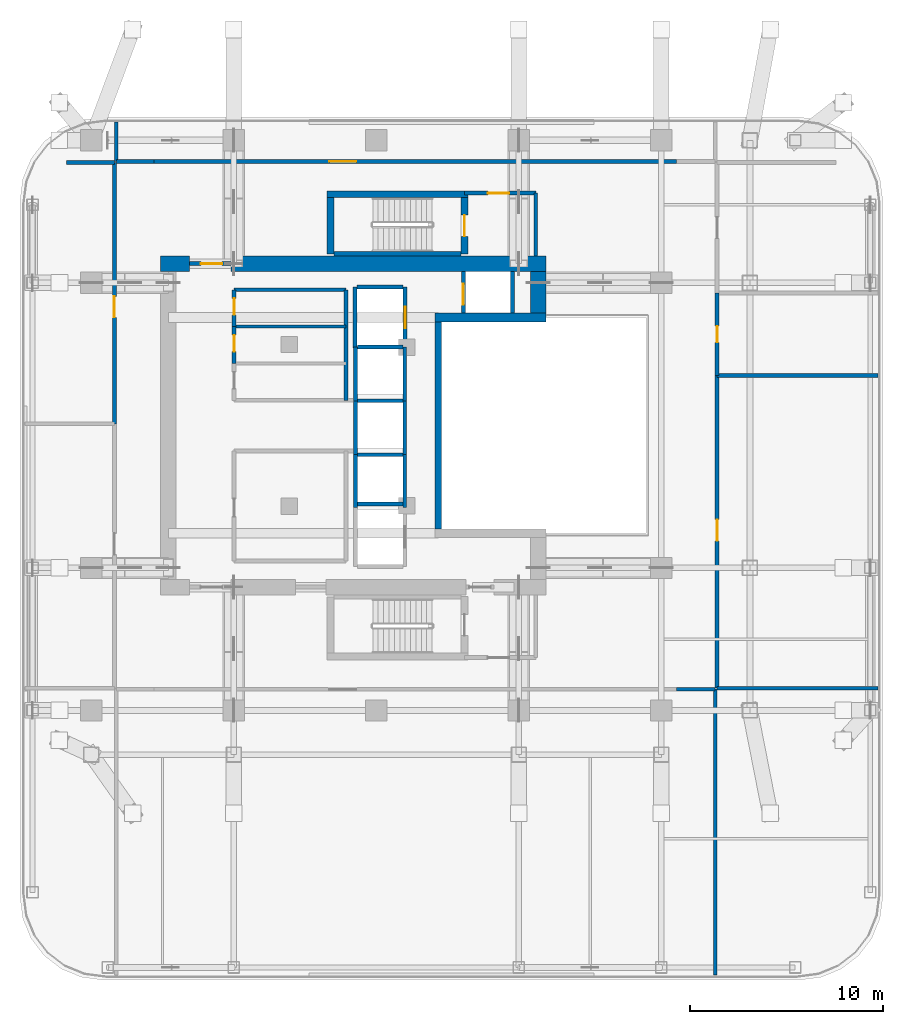
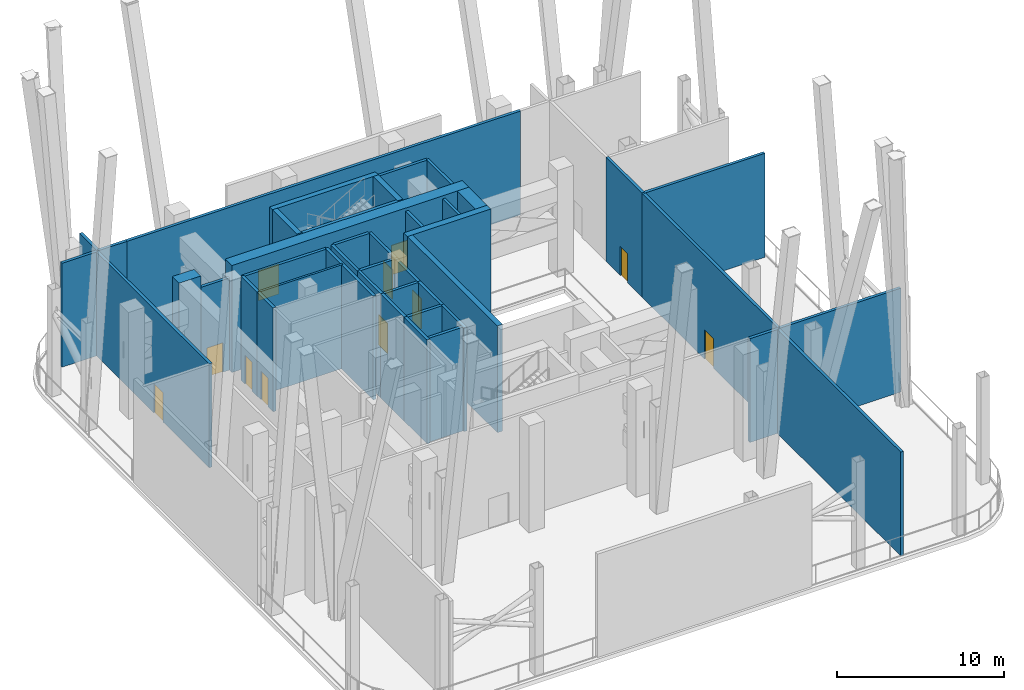
# One storey, part 5 of 9: 43 walls, 11 doors, 11 openings.
"""IFC4 building model written with IfcOpenShell, lengths in metres."""

from ifc_helpers import new_model, si_unit, direction, frame, frame_2d, origin, place, context, subcontext, project, spatial, rectangle, extrude, material, layer, layer_set, type_object, element, fill, save


model = new_model("IFC4")

# Units and contexts
model_context = context("Model", 3, precision=1e-05, world=origin(), true_north=direction((0.0, 1.0)))
body_context = subcontext(model_context, "Body", "Model", "MODEL_VIEW")
ifc_project = project(units=[si_unit("LENGTHUNIT", "METRE"), si_unit("AREAUNIT", "SQUARE_METRE"), si_unit("VOLUMEUNIT", "CUBIC_METRE"), si_unit("PLANEANGLEUNIT", "RADIAN"), si_unit("MASSUNIT", "GRAM", prefix="KILO")], contexts=[model_context])

# Site, building, storey
site_placement = place(None, origin())
site = spatial("IfcSite", under=ifc_project, at=site_placement, CompositionType="ELEMENT")
building_placement = place(site_placement, origin())
building = spatial("IfcBuilding", under=site, at=building_placement, Name="Khorvyn Point Tower", CompositionType="ELEMENT")
storey_placement = place(building_placement, frame((0.0, 0.0, 235.199951171875)))
storey = spatial("IfcBuildingStorey", under=building, at=storey_placement, Name="L58", CompositionType="ELEMENT", Elevation=235.199951171875)

# Wall
ifc_material_1 = material(Name="Concrete C40/50", Category="concrete")
ifc_layer_1 = layer(ifc_material_1, 0.449951171875)
ifc_layer_set_1 = layer_set([ifc_layer_1], Name="Concrete C40/50 Core Shear Wall 450")
wall_type_1 = type_object("IfcWallType", Name="Concrete C40/50 Core Shear Wall 450", PredefinedType="SHEAR", material=ifc_layer_set_1)
wall_1_placement = place(storey_placement, frame((3.044921875, 5.60009765625, 0.0), z_axis=(0.0, 0.0, 1.0), x_axis=(1.0, 0.0, 0.0)))
element("IfcWall", 1, at=wall_1_placement, inside=storey, type_object=wall_type_1, Name="Wall", PredefinedType="SHEAR", context=body_context, shape_type="SweptSolid", body=[
    extrude(rectangle(XDim=5.755126953125, YDim=0.449951171875, at=frame_2d((2.87744140625, 0.0))), origin(), (0.0, 0.0, 1.0), 7.800048828125),
])

# Wall, opening, door
ifc_layer_2 = layer(ifc_material_1, 0.199951171875)
ifc_layer_set_2 = layer_set([ifc_layer_2], Name="Concrete C40/50 Fire-Lobby Compartment Wall 200")
wall_type_2 = type_object("IfcWallType", Name="Concrete C40/50 Fire-Lobby Compartment Wall 200", PredefinedType="SOLIDWALL", material=ifc_layer_set_2)
wall_2_placement = place(storey_placement, frame((4.580078125, 12.06005859375, 0.0), z_axis=(0.0, 0.0, 1.0), x_axis=(1.0, 0.0, 0.0)))
wall_2 = element("IfcWall", 2, at=wall_2_placement, inside=storey, type_object=wall_type_2, Name="Wall", PredefinedType="SOLIDWALL", context=body_context, shape_type="SweptSolid", body=[
    extrude(rectangle(XDim=3.699951171875, YDim=0.199951171875, at=frame_2d((1.85009765625, 0.0))), origin(), (0.0, 0.0, 1.0), 7.580078125),
])
opening_1_placement = place(wall_2_placement, frame((1.21240234375, 0.0, 0.0)))
opening_1 = element("IfcOpeningElement", 3, at=opening_1_placement, cuts=wall_2, Name="Opening ID-FL90", PredefinedType="OPENING", context=body_context, shape_type="SweptSolid", body=[
    extrude(rectangle(XDim=1.10009765625, YDim=2.14990234375, at=frame_2d((0.550048828125, 1.074951171875))), frame((0.0, 0.10986328125, 0.0), z_axis=(0.0, -1.0, 0.0), x_axis=(1.0, 0.0, 0.0)), (0.0, 0.0, 1.0), 0.219970703125),
])
ifc_material_2 = material(Name="Galvanised powder-coated steel", Category="steel")
door_type_1 = type_object("IfcDoorType", Name="Fire-Rated Steel Lobby and Stair Door 1100x2150", OperationType="NOTDEFINED", PredefinedType="DOOR", material=ifc_material_2)
door_1_placement = place(opening_1_placement, origin())
door_1 = element("IfcDoor", 4, at=door_1_placement, inside=storey, type_object=door_type_1, Name="Door", OperationType="SINGLE_SWING_RIGHT", OverallHeight=2.14990234375, OverallWidth=1.10009765625, PredefinedType="DOOR", context=body_context, shape_type="SweptSolid", body=[
    extrude(rectangle(XDim=1.10009765625, YDim=2.14990234375, at=frame_2d((0.550048828125, 1.074951171875))), frame((0.0, 0.02490234375, 0.0), z_axis=(0.0, -1.0, 0.0), x_axis=(1.0, 0.0, 0.0)), (0.0, 0.0, 1.0), 0.050048828125),
])
fill(opening_1, door_1)

wall_3_placement = place(storey_placement, frame((-9.699951171875, 8.39990234375, 0.0), z_axis=(0.0, 0.0, 1.0), x_axis=(1.0, 0.0, 0.0)))
wall_3 = element("IfcWall", 5, at=wall_3_placement, inside=storey, type_object=wall_type_2, Name="Wall", PredefinedType="SOLIDWALL", context=body_context, shape_type="SweptSolid", body=[
    extrude(rectangle(XDim=2.14990234375, YDim=0.199951171875, at=frame_2d((1.074951171875, 0.0))), origin(), (0.0, 0.0, 1.0), 6.719970703125),
])
opening_2_placement = place(wall_3_placement, frame((0.597900390625, 0.0, 0.0)))
opening_2 = element("IfcOpeningElement", 6, at=opening_2_placement, cuts=wall_3, Name="Opening ID-FL90", PredefinedType="OPENING", context=body_context, shape_type="SweptSolid", body=[
    extrude(rectangle(XDim=1.10009765625, YDim=2.14990234375, at=frame_2d((0.550048828125, 1.074951171875))), frame((0.0, 0.10986328125, 0.0), z_axis=(0.0, -1.0, 0.0), x_axis=(1.0, 0.0, 0.0)), (0.0, 0.0, 1.0), 0.219970703125),
])
door_2_placement = place(opening_2_placement, origin())
door_2 = element("IfcDoor", 7, at=door_2_placement, inside=storey, type_object=door_type_1, Name="Door", OperationType="SINGLE_SWING_RIGHT", OverallHeight=2.14990234375, OverallWidth=1.10009765625, PredefinedType="DOOR", context=body_context, shape_type="SweptSolid", body=[
    extrude(rectangle(XDim=1.10009765625, YDim=2.14990234375, at=frame_2d((0.550048828125, 1.074951171875))), frame((0.0, 0.02490234375, 0.0), z_axis=(0.0, -1.0, 0.0), x_axis=(1.0, 0.0, 0.0)), (0.0, 0.0, 1.0), 0.050048828125),
])
fill(opening_2, door_2)

wall_4_placement = place(storey_placement, frame((-7.3798828125, 3.219970703125, 0.0), z_axis=(0.0, 0.0, 1.0), x_axis=(0.0, 1.0, 0.0)))
wall_4 = element("IfcWall", 8, at=wall_4_placement, inside=storey, type_object=wall_type_2, Name="Wall", PredefinedType="SOLIDWALL", context=body_context, shape_type="SweptSolid", body=[
    extrude(rectangle(XDim=1.919921875, YDim=0.199951171875, at=frame_2d((0.9599609375, 0.0))), origin(), (0.0, 0.0, 1.0), 7.580078125),
])
opening_3_placement = place(wall_4_placement, frame((0.610107421875, 0.0, 0.0)))
opening_3 = element("IfcOpeningElement", 9, at=opening_3_placement, cuts=wall_4, Name="Opening ID-WC85", PredefinedType="OPENING", context=body_context, shape_type="SweptSolid", body=[
    extrude(rectangle(XDim=0.85009765625, YDim=2.10009765625, at=frame_2d((0.425048828125, 1.050048828125))), frame((0.0, 0.10986328125, 0.0), z_axis=(0.0, -1.0, 0.0), x_axis=(1.0, 0.0, 0.0)), (0.0, 0.0, 1.0), 0.219970703125),
])
ifc_material_3 = material(Name="High-pressure laminate on moisture-resistant core", Category="wood")
door_type_2 = type_object("IfcDoorType", Name="Moisture-Resistant Accessible Washroom Door 850x2100", OperationType="NOTDEFINED", PredefinedType="DOOR", material=ifc_material_3)
door_3_placement = place(opening_3_placement, origin())
door_3 = element("IfcDoor", 10, at=door_3_placement, inside=storey, type_object=door_type_2, Name="Door", OperationType="SINGLE_SWING_LEFT", OverallHeight=2.10009765625, OverallWidth=0.85009765625, PredefinedType="DOOR", context=body_context, shape_type="SweptSolid", body=[
    extrude(rectangle(XDim=0.85009765625, YDim=2.10009765625, at=frame_2d((0.425048828125, 1.050048828125))), frame((0.0, 0.02490234375, 0.0), z_axis=(0.0, -1.0, 0.0), x_axis=(1.0, 0.0, 0.0)), (0.0, 0.0, 1.0), 0.050048828125),
])
fill(opening_3, door_3)

wall_5_placement = place(storey_placement, frame((-7.3798828125, 5.139892578125, 0.0), z_axis=(0.0, 0.0, 1.0), x_axis=(0.0, 1.0, 0.0)))
wall_5 = element("IfcWall", 11, at=wall_5_placement, inside=storey, type_object=wall_type_2, Name="Wall", PredefinedType="SOLIDWALL", context=body_context, shape_type="SweptSolid", body=[
    extrude(rectangle(XDim=1.900146484375, YDim=0.199951171875, at=frame_2d((0.9501953125, 0.0))), origin(), (0.0, 0.0, 1.0), 7.580078125),
])
opening_4_placement = place(wall_5_placement, frame((0.597900390625, 0.0, 0.0)))
opening_4 = element("IfcOpeningElement", 12, at=opening_4_placement, cuts=wall_5, Name="Opening ID-WC85", PredefinedType="OPENING", context=body_context, shape_type="SweptSolid", body=[
    extrude(rectangle(XDim=0.85009765625, YDim=2.10009765625, at=frame_2d((0.425048828125, 1.050048828125))), frame((0.0, 0.10986328125, 0.0), z_axis=(0.0, -1.0, 0.0), x_axis=(1.0, 0.0, 0.0)), (0.0, 0.0, 1.0), 0.219970703125),
])
door_4_placement = place(opening_4_placement, origin())
door_4 = element("IfcDoor", 13, at=door_4_placement, inside=storey, type_object=door_type_2, Name="Door", OperationType="SINGLE_SWING_RIGHT", OverallHeight=2.10009765625, OverallWidth=0.85009765625, PredefinedType="DOOR", context=body_context, shape_type="SweptSolid", body=[
    extrude(rectangle(XDim=0.85009765625, YDim=2.10009765625, at=frame_2d((0.425048828125, 1.050048828125))), frame((0.0, 0.02490234375, 0.0), z_axis=(0.0, -1.0, 0.0), x_axis=(1.0, 0.0, 0.0)), (0.0, 0.0, 1.0), 0.050048828125),
])
fill(opening_4, door_4)

wall_6_placement = place(storey_placement, frame((-11.550048828125, 13.699951171875, 0.0), z_axis=(0.0, 0.0, 1.0), x_axis=(1.0, 0.0, 0.0)))
wall_6 = element("IfcWall", 14, at=wall_6_placement, inside=storey, type_object=wall_type_2, Name="Wall", PredefinedType="SOLIDWALL", context=body_context, shape_type="SweptSolid", body=[
    extrude(rectangle(XDim=27.150146484375, YDim=0.199951171875, at=frame_2d((13.5751953125, 0.0))), origin(), (0.0, 0.0, 1.0), 7.580078125),
])
opening_5_placement = place(wall_6_placement, frame((9.1142578125, 0.0, 0.0)))
opening_5 = element("IfcOpeningElement", 15, at=opening_5_placement, cuts=wall_6, Name="Opening ID-PL90", PredefinedType="OPENING", context=body_context, shape_type="SweptSolid", body=[
    extrude(rectangle(XDim=1.39990234375, YDim=2.199951171875, at=frame_2d((0.699951171875, 1.10009765625))), frame((0.0, 0.10986328125, 0.0), z_axis=(0.0, -1.0, 0.0), x_axis=(1.0, 0.0, 0.0)), (0.0, 0.0, 1.0), 0.219970703125),
])
door_type_3 = type_object("IfcDoorType", Name="Double-Leaf Acoustic Steel Plant Room Door 1400x2200", OperationType="DOUBLE_DOOR_SINGLE_SWING", PredefinedType="DOOR", material=ifc_material_2)
door_5_placement = place(opening_5_placement, origin())
door_5 = element("IfcDoor", 16, at=door_5_placement, inside=storey, type_object=door_type_3, Name="Door", OperationType="SINGLE_SWING_LEFT", OverallHeight=2.199951171875, OverallWidth=1.39990234375, PredefinedType="DOOR", context=body_context, shape_type="SweptSolid", body=[
    extrude(rectangle(XDim=1.39990234375, YDim=2.199951171875, at=frame_2d((0.699951171875, 1.10009765625))), frame((0.0, 0.02490234375, 0.0), z_axis=(0.0, -1.0, 0.0), x_axis=(1.0, 0.0, 0.0)), (0.0, 0.0, 1.0), 0.050048828125),
])
fill(opening_5, door_5)

wall_7_placement = place(storey_placement, frame((-13.60009765625, 0.080078125, 0.0), z_axis=(0.0, 0.0, 1.0), x_axis=(0.0, 1.0, 0.0)))
wall_7 = element("IfcWall", 17, at=wall_7_placement, inside=storey, type_object=wall_type_2, Name="Wall", PredefinedType="SOLIDWALL", context=body_context, shape_type="SweptSolid", body=[
    extrude(rectangle(XDim=13.56982421875, YDim=0.199951171875, at=frame_2d((6.784912109375, 0.0))), origin(), (0.0, 0.0, 1.0), 7.580078125),
])
opening_6_placement = place(wall_7_placement, frame((5.520263671875, 0.0, 0.0)))
opening_6 = element("IfcOpeningElement", 18, at=opening_6_placement, cuts=wall_7, Name="Opening ID-FL90", PredefinedType="OPENING", context=body_context, shape_type="SweptSolid", body=[
    extrude(rectangle(XDim=1.10009765625, YDim=2.14990234375, at=frame_2d((0.550048828125, 1.074951171875))), frame((0.0, 0.10986328125, 0.0), z_axis=(0.0, -1.0, 0.0), x_axis=(1.0, 0.0, 0.0)), (0.0, 0.0, 1.0), 0.219970703125),
])
door_6_placement = place(opening_6_placement, origin())
door_6 = element("IfcDoor", 19, at=door_6_placement, inside=storey, type_object=door_type_1, Name="Door", OperationType="SINGLE_SWING_RIGHT", OverallHeight=2.14990234375, OverallWidth=1.10009765625, PredefinedType="DOOR", context=body_context, shape_type="SweptSolid", body=[
    extrude(rectangle(XDim=1.10009765625, YDim=2.14990234375, at=frame_2d((0.550048828125, 1.074951171875))), frame((0.0, 0.02490234375, 0.0), z_axis=(0.0, -1.0, 0.0), x_axis=(1.0, 0.0, 0.0)), (0.0, 0.0, 1.0), 0.050048828125),
])
fill(opening_6, door_6)

wall_8_placement = place(storey_placement, frame((17.699951171875, -13.64990234375, 0.0), z_axis=(0.0, 0.0, 1.0), x_axis=(0.0, 1.0, 0.0)))
wall_8 = element("IfcWall", 20, at=wall_8_placement, inside=storey, type_object=wall_type_2, Name="Wall", PredefinedType="SOLIDWALL", context=body_context, shape_type="SweptSolid", body=[
    extrude(rectangle(XDim=16.22998046875, YDim=0.199951171875, at=frame_2d((8.114990234375, 0.0))), origin(), (0.0, 0.0, 1.0), 7.580078125),
])
opening_7_placement = place(wall_8_placement, frame((7.654296875, 0.0, 0.0)))
opening_7 = element("IfcOpeningElement", 21, at=opening_7_placement, cuts=wall_8, Name="Opening ID-FL90", PredefinedType="OPENING", context=body_context, shape_type="SweptSolid", body=[
    extrude(rectangle(XDim=1.10009765625, YDim=2.14990234375, at=frame_2d((0.550048828125, 1.074951171875))), frame((0.0, 0.10986328125, 0.0), z_axis=(0.0, -1.0, 0.0), x_axis=(1.0, 0.0, 0.0)), (0.0, 0.0, 1.0), 0.219970703125),
])
door_7_placement = place(opening_7_placement, origin())
door_7 = element("IfcDoor", 22, at=door_7_placement, inside=storey, type_object=door_type_1, Name="Door", OperationType="SINGLE_SWING_LEFT", OverallHeight=2.14990234375, OverallWidth=1.10009765625, PredefinedType="DOOR", context=body_context, shape_type="SweptSolid", body=[
    extrude(rectangle(XDim=1.10009765625, YDim=2.14990234375, at=frame_2d((0.550048828125, 1.074951171875))), frame((0.0, 0.02490234375, 0.0), z_axis=(0.0, -1.0, 0.0), x_axis=(1.0, 0.0, 0.0)), (0.0, 0.0, 1.0), 0.050048828125),
])
fill(opening_7, door_7)

wall_9_placement = place(storey_placement, frame((17.699951171875, 2.580078125, 0.0), z_axis=(0.0, 0.0, 1.0), x_axis=(0.0, 1.0, 0.0)))
wall_9 = element("IfcWall", 23, at=wall_9_placement, inside=storey, type_object=wall_type_2, Name="Wall", PredefinedType="SOLIDWALL", context=body_context, shape_type="SweptSolid", body=[
    extrude(rectangle(XDim=4.2998046875, YDim=0.199951171875, at=frame_2d((2.14990234375, 0.0))), origin(), (0.0, 0.0, 1.0), 7.580078125),
])
opening_8_placement = place(wall_9_placement, frame((1.72509765625, 0.0, 0.0)))
opening_8 = element("IfcOpeningElement", 24, at=opening_8_placement, cuts=wall_9, Name="Opening ID-WC85", PredefinedType="OPENING", context=body_context, shape_type="SweptSolid", body=[
    extrude(rectangle(XDim=0.85009765625, YDim=2.10009765625, at=frame_2d((0.425048828125, 1.050048828125))), frame((0.0, 0.10986328125, 0.0), z_axis=(0.0, -1.0, 0.0), x_axis=(1.0, 0.0, 0.0)), (0.0, 0.0, 1.0), 0.219970703125),
])
door_8_placement = place(opening_8_placement, origin())
door_8 = element("IfcDoor", 25, at=door_8_placement, inside=storey, type_object=door_type_2, Name="Door", OperationType="SINGLE_SWING_RIGHT", OverallHeight=2.10009765625, OverallWidth=0.85009765625, PredefinedType="DOOR", context=body_context, shape_type="SweptSolid", body=[
    extrude(rectangle(XDim=0.85009765625, YDim=2.10009765625, at=frame_2d((0.425048828125, 1.050048828125))), frame((0.0, 0.02490234375, 0.0), z_axis=(0.0, -1.0, 0.0), x_axis=(1.0, 0.0, 0.0)), (0.0, 0.0, 1.0), 0.050048828125),
])
fill(opening_8, door_8)

# Walls
wall_10_placement = place(storey_placement, frame((8.280029296875, 8.800048828125, 0.0), z_axis=(0.0, 0.0, 1.0), x_axis=(0.0, 1.0, 0.0)))
element("IfcWall", 26, at=wall_10_placement, inside=storey, type_object=wall_type_2, Name="Wall", PredefinedType="SOLIDWALL", context=body_context, shape_type="SweptSolid", body=[
    extrude(rectangle(XDim=3.260009765625, YDim=0.199951171875, at=frame_2d((1.6298828125, 0.0))), origin(), (0.0, 0.0, 1.0), 7.580078125),
])
wall_11_placement = place(storey_placement, frame((-1.580078125, 1.300048828125, 0.0), z_axis=(0.0, 0.0, 1.0), x_axis=(0.0, 1.0, 0.0)))
element("IfcWall", 27, at=wall_11_placement, inside=storey, type_object=wall_type_2, Name="Wall", PredefinedType="SOLIDWALL", context=body_context, shape_type="SweptSolid", body=[
    extrude(rectangle(XDim=5.739990234375, YDim=0.199951171875, at=frame_2d((2.8701171875, 0.0))), origin(), (0.0, 0.0, 1.0), 7.580078125),
])
wall_12_placement = place(storey_placement, frame((-7.3798828125, 7.0400390625, 0.0), z_axis=(0.0, 0.0, 1.0), x_axis=(1.0, 0.0, 0.0)))
element("IfcWall", 28, at=wall_12_placement, inside=storey, type_object=wall_type_2, Name="Wall", PredefinedType="SOLIDWALL", context=body_context, shape_type="SweptSolid", body=[
    extrude(rectangle(XDim=5.7998046875, YDim=0.199951171875, at=frame_2d((2.89990234375, 0.0))), origin(), (0.0, 0.0, 1.0), 7.580078125),
])
wall_13_placement = place(storey_placement, frame((-13.5, 13.699951171875, 0.0), z_axis=(0.0, 0.0, 1.0), x_axis=(1.0, 0.0, 0.0)))
element("IfcWall", 29, at=wall_13_placement, inside=storey, type_object=wall_type_2, Name="Wall", PredefinedType="SOLIDWALL", context=body_context, shape_type="SweptSolid", body=[
    extrude(rectangle(XDim=1.949951171875, YDim=0.199951171875, at=frame_2d((0.97509765625, 0.0))), origin(), (0.0, 0.0, 1.0), 7.580078125),
])
wall_14_placement = place(storey_placement, frame((15.60009765625, -13.699951171875, 0.0), z_axis=(0.0, 0.0, 1.0), x_axis=(1.0, 0.0, 0.0)))
element("IfcWall", 30, at=wall_14_placement, inside=storey, type_object=wall_type_2, Name="Wall", PredefinedType="SOLIDWALL", context=body_context, shape_type="SweptSolid", body=[
    extrude(rectangle(XDim=2.0, YDim=0.199951171875, at=frame_2d((1.0, 0.0))), origin(), (0.0, 0.0, 1.0), 7.580078125),
])
wall_15_placement = place(storey_placement, frame((17.60009765625, -28.550048828125, 0.0), z_axis=(0.0, 0.0, 1.0), x_axis=(0.0, 1.0, 0.0)))
element("IfcWall", 31, at=wall_15_placement, inside=storey, type_object=wall_type_2, Name="Wall", PredefinedType="SOLIDWALL", context=body_context, shape_type="SweptSolid", body=[
    extrude(rectangle(XDim=14.85009765625, YDim=0.199951171875, at=frame_2d((7.425048828125, 0.0))), origin(), (0.0, 0.0, 1.0), 7.580078125),
])
wall_16_placement = place(storey_placement, frame((-13.5, 13.699951171875, 0.0), z_axis=(0.0, 0.0, 1.0), x_axis=(0.0, 1.0, 0.0)))
element("IfcWall", 32, at=wall_16_placement, inside=storey, type_object=wall_type_2, Name="Wall", PredefinedType="SOLIDWALL", context=body_context, shape_type="SweptSolid", body=[
    extrude(rectangle(XDim=2.050048828125, YDim=0.199951171875, at=frame_2d((1.02490234375, 0.0))), origin(), (0.0, 0.0, 1.0), 7.580078125),
])
wall_17_placement = place(storey_placement, frame((-16.080078125, 13.64990234375, 0.0), z_axis=(0.0, 0.0, 1.0), x_axis=(1.0, 0.0, 0.0)))
element("IfcWall", 33, at=wall_17_placement, inside=storey, type_object=wall_type_2, Name="Wall", PredefinedType="SOLIDWALL", context=body_context, shape_type="SweptSolid", body=[
    extrude(rectangle(XDim=2.47998046875, YDim=0.199951171875, at=frame_2d((1.239990234375, 0.0))), origin(), (0.0, 0.0, 1.0), 7.580078125),
])
for number, where, z_axis, x_axis, name in (
    (34, (17.699951171875, -13.64990234375, 0.0), (0.0, 0.0, 1.0), (1.0, 0.0, 0.0), "Wall"),
    (35, (17.699951171875, 2.580078125, 0.0), (0.0, 0.0, 1.0), (1.0, 0.0, 0.0), "Wall"),
):
    element("IfcWall", number, at=place(storey_placement, frame(where, z_axis=z_axis, x_axis=x_axis)), inside=storey, type_object=wall_type_2, Name=name, PredefinedType="SOLIDWALL", context=body_context, shape_type="SweptSolid", body=[
        extrude(rectangle(XDim=8.35009765625, YDim=0.199951171875, at=frame_2d((4.175048828125, 0.0))), origin(), (0.0, 0.0, 1.0), 7.580078125),
    ])
ifc_layer_3 = layer(ifc_material_1, 0.25)
ifc_layer_set_3 = layer_set([ifc_layer_3], Name="Concrete C40/50 Stair Inner Cheek Structural Wall 250")
wall_type_3 = type_object("IfcWallType", Name="Concrete C40/50 Stair Inner Cheek Structural Wall 250", PredefinedType="SHEAR", material=ifc_layer_set_3)
wall_18_placement = place(storey_placement, frame((-2.199951171875, 8.91259765625, 0.0), z_axis=(0.0, 0.0, 1.0), x_axis=(1.0, 0.0, 0.0)))
element("IfcWall", 36, at=wall_18_placement, inside=storey, type_object=wall_type_3, Name="Wall", PredefinedType="SHEAR", context=body_context, shape_type="SweptSolid", body=[
    extrude(rectangle(XDim=6.599853515625, YDim=0.22509765625, at=frame_2d((3.2998046875, 0.0))), origin(), (0.0, 0.0, 1.0), 7.800048828125),
])
ifc_layer_4 = layer(ifc_material_1, 0.35009765625)
ifc_layer_set_4 = layer_set([ifc_layer_4], Name="Concrete C40/50 Stair Shaft Structural Wall 350")
wall_type_4 = type_object("IfcWallType", Name="Concrete C40/50 Stair Shaft Structural Wall 350", PredefinedType="SHEAR", material=ifc_layer_set_4)
wall_19_placement = place(storey_placement, frame((3.219970703125, -5.375, 0.0), z_axis=(0.0, 0.0, 1.0), x_axis=(0.0, 1.0, 0.0)))
element("IfcWall", 37, at=wall_19_placement, inside=storey, type_object=wall_type_4, Name="Wall", PredefinedType="SHEAR", context=body_context, shape_type="SweptSolid", body=[
    extrude(rectangle(XDim=10.75, YDim=0.35009765625, at=frame_2d((5.375, 0.0))), origin(), (0.0, 0.0, 1.0), 7.800048828125),
])
wall_20_placement = place(storey_placement, frame((-2.554931640625, 12.0, 0.0), z_axis=(0.0, 0.0, 1.0), x_axis=(1.0, 0.0, 0.0)))
element("IfcWall", 38, at=wall_20_placement, inside=storey, type_object=wall_type_4, Name="L58 ST-02 North Shaft Wall", PredefinedType="SHEAR", context=body_context, shape_type="SweptSolid", body=[
    extrude(rectangle(XDim=7.309814453125, YDim=0.35009765625, at=frame_2d((3.65478515625, 0.0))), origin(), (0.0, 0.0, 1.0), 7.800048828125),
])
wall_21_placement = place(storey_placement, frame((-2.3798828125, 8.89990234375, 0.0), z_axis=(0.0, 0.0, 1.0), x_axis=(0.0, 1.0, 0.0)))
element("IfcWall", 39, at=wall_21_placement, inside=storey, type_object=wall_type_4, Name="L58 ST-02 West Shaft Wall", PredefinedType="SHEAR", context=body_context, shape_type="SweptSolid", body=[
    extrude(rectangle(XDim=2.925048828125, YDim=0.35009765625, at=frame_2d((1.46240234375, 0.0))), origin(), (0.0, 0.0, 1.0), 7.800048828125),
])

# Wall, opening, door
wall_22_placement = place(storey_placement, frame((4.580078125, 11.824951171875, 0.0), z_axis=(0.0, 0.0, 1.0), x_axis=(0.0, -1.0, 0.0)))
wall_22 = element("IfcWall", 40, at=wall_22_placement, inside=storey, type_object=wall_type_4, Name="L58 ST-02 East Landing Door Wall", PredefinedType="SHEAR", context=body_context, shape_type="SweptSolid", body=[
    extrude(rectangle(XDim=2.925048828125, YDim=0.35009765625, at=frame_2d((1.46240234375, 0.0))), origin(), (0.0, 0.0, 1.0), 7.800048828125),
])
opening_9_placement = place(wall_22_placement, frame((0.91259765625, 0.0, 0.0)))
opening_9 = element("IfcOpeningElement", 41, at=opening_9_placement, cuts=wall_22, Name="Opening ID-FL90", PredefinedType="OPENING", context=body_context, shape_type="SweptSolid", body=[
    extrude(rectangle(XDim=1.10009765625, YDim=2.14990234375, at=frame_2d((0.550048828125, 1.074951171875))), frame((0.0, 0.18505859375, 0.0), z_axis=(0.0, -1.0, 0.0), x_axis=(1.0, 0.0, 0.0)), (0.0, 0.0, 1.0), 0.3701171875),
])
door_9_placement = place(opening_9_placement, origin())
door_9 = element("IfcDoor", 42, at=door_9_placement, inside=storey, type_object=door_type_1, Name="L58 ST-02 Smokeproof Landing Door", OperationType="SINGLE_SWING_LEFT", OverallHeight=2.14990234375, OverallWidth=1.10009765625, PredefinedType="DOOR", context=body_context, shape_type="SweptSolid", body=[
    extrude(rectangle(XDim=1.10009765625, YDim=2.14990234375, at=frame_2d((0.550048828125, 1.074951171875))), frame((0.0, 0.02490234375, 0.0), z_axis=(0.0, -1.0, 0.0), x_axis=(1.0, 0.0, 0.0)), (0.0, 0.0, 1.0), 0.050048828125),
])
fill(opening_9, door_9)

# Walls
ifc_layer_5 = layer(ifc_material_1, 0.199951171875)
ifc_layer_set_5 = layer_set([ifc_layer_5], Name="Concrete C40/50 Structural Hoistway and Stair Shaft Wall 200")
wall_type_5 = type_object("IfcWallType", Name="Concrete C40/50 Structural Hoistway and Stair Shaft Wall 200", PredefinedType="SHEAR", material=ifc_layer_set_5)
for number, where, z_axis, x_axis, name in (
    (43, (-1.074951171875, -4.27490234375, 0.0), (0.0, 0.0, 1.0), (0.0, 1.0, 0.0), "Wall"),
    (44, (1.47509765625, -4.27490234375, 0.0), (0.0, 0.0, 1.0), (0.0, 1.0, 0.0), "Wall"),
):
    element("IfcWall", number, at=place(storey_placement, frame(where, z_axis=z_axis, x_axis=x_axis)), inside=storey, type_object=wall_type_5, Name=name, PredefinedType="SHEAR", context=body_context, shape_type="SweptSolid", body=[
        extrude(rectangle(XDim=2.75, YDim=0.199951171875, at=frame_2d((1.375, 0.0))), origin(), (0.0, 0.0, 1.0), 7.580078125),
    ])
for number, where, z_axis, x_axis, name in (
    (45, (-0.97509765625, -4.074951171875, 0.0), (0.0, 0.0, 1.0), (1.0, 0.0, 0.0), "Wall"),
    (46, (-0.97509765625, -1.52490234375, 0.0), (0.0, 0.0, 1.0), (1.0, 0.0, 0.0), "Wall"),
):
    element("IfcWall", number, at=place(storey_placement, frame(where, z_axis=z_axis, x_axis=x_axis)), inside=storey, type_object=wall_type_5, Name=name, PredefinedType="SHEAR", context=body_context, shape_type="SweptSolid", body=[
        extrude(rectangle(XDim=2.35009765625, YDim=0.199951171875, at=frame_2d((1.175048828125, 0.0))), origin(), (0.0, 0.0, 1.0), 7.580078125),
    ])
for number, where, z_axis, x_axis, name in (
    (47, (-1.074951171875, -1.52490234375, 0.0), (0.0, 0.0, 1.0), (0.0, 1.0, 0.0), "Wall"),
    (48, (1.47509765625, -1.52490234375, 0.0), (0.0, 0.0, 1.0), (0.0, 1.0, 0.0), "Wall"),
):
    element("IfcWall", number, at=place(storey_placement, frame(where, z_axis=z_axis, x_axis=x_axis)), inside=storey, type_object=wall_type_5, Name=name, PredefinedType="SHEAR", context=body_context, shape_type="SweptSolid", body=[
        extrude(rectangle(XDim=2.7998046875, YDim=0.199951171875, at=frame_2d((1.39990234375, 0.0))), origin(), (0.0, 0.0, 1.0), 7.580078125),
    ])
wall_23_placement = place(storey_placement, frame((-0.97509765625, 1.27490234375, 0.0), z_axis=(0.0, 0.0, 1.0), x_axis=(1.0, 0.0, 0.0)))
element("IfcWall", 49, at=wall_23_placement, inside=storey, type_object=wall_type_5, Name="Wall", PredefinedType="SHEAR", context=body_context, shape_type="SweptSolid", body=[
    extrude(rectangle(XDim=2.35009765625, YDim=0.199951171875, at=frame_2d((1.175048828125, 0.0))), origin(), (0.0, 0.0, 1.0), 7.580078125),
])
for number, where, z_axis, x_axis, name in (
    (50, (-1.074951171875, 1.27490234375, 0.0), (0.0, 0.0, 1.0), (0.0, 1.0, 0.0), "Wall"),
    (51, (1.47509765625, 1.27490234375, 0.0), (0.0, 0.0, 1.0), (0.0, 1.0, 0.0), "Wall"),
):
    element("IfcWall", number, at=place(storey_placement, frame(where, z_axis=z_axis, x_axis=x_axis)), inside=storey, type_object=wall_type_5, Name=name, PredefinedType="SHEAR", context=body_context, shape_type="SweptSolid", body=[
        extrude(rectangle(XDim=2.800048828125, YDim=0.199951171875, at=frame_2d((1.39990234375, 0.0))), origin(), (0.0, 0.0, 1.0), 7.580078125),
    ])
wall_24_placement = place(storey_placement, frame((-0.97509765625, 4.074951171875, 0.0), z_axis=(0.0, 0.0, 1.0), x_axis=(1.0, 0.0, 0.0)))
element("IfcWall", 52, at=wall_24_placement, inside=storey, type_object=wall_type_5, Name="Wall", PredefinedType="SHEAR", context=body_context, shape_type="SweptSolid", body=[
    extrude(rectangle(XDim=2.35009765625, YDim=0.199951171875, at=frame_2d((1.175048828125, 0.0))), origin(), (0.0, 0.0, 1.0), 7.580078125),
])
wall_25_placement = place(storey_placement, frame((-1.10009765625, 4.02490234375, 0.0), z_axis=(0.0, 0.0, 1.0), x_axis=(0.0, 1.0, 0.0)))
element("IfcWall", 53, at=wall_25_placement, inside=storey, type_object=wall_type_5, Name="Wall", PredefinedType="SHEAR", context=body_context, shape_type="SweptSolid", body=[
    extrude(rectangle(XDim=3.150146484375, YDim=0.199951171875, at=frame_2d((1.5751953125, 0.0))), origin(), (0.0, 0.0, 1.0), 7.580078125),
])

# Wall, opening, door
wall_26_placement = place(storey_placement, frame((1.5, 4.02490234375, 0.0), z_axis=(0.0, 0.0, 1.0), x_axis=(0.0, 1.0, 0.0)))
wall_26 = element("IfcWall", 54, at=wall_26_placement, inside=storey, type_object=wall_type_5, Name="Wall", PredefinedType="SHEAR", context=body_context, shape_type="SweptSolid", body=[
    extrude(rectangle(XDim=3.150146484375, YDim=0.199951171875, at=frame_2d((1.5751953125, 0.0))), origin(), (0.0, 0.0, 1.0), 7.580078125),
])
opening_10_placement = place(wall_26_placement, frame((1.02490234375, 0.0, 0.0)))
opening_10 = element("IfcOpeningElement", 55, at=opening_10_placement, cuts=wall_26, Name="Opening LD-1122", PredefinedType="OPENING", context=body_context, shape_type="SweptSolid", body=[
    extrude(rectangle(XDim=1.10009765625, YDim=2.199951171875, at=frame_2d((0.550048828125, 1.10009765625))), frame((0.0, 0.10986328125, 0.0), z_axis=(0.0, -1.0, 0.0), x_axis=(1.0, 0.0, 0.0)), (0.0, 0.0, 1.0), 0.219970703125),
])
ifc_material_4 = material(Name="Stainless steel 1.4301", Category="steel")
door_type_4 = type_object("IfcDoorType", Name="Stainless Steel Automatic Sliding Lift Landing Door 1100x2200", OperationType="SLIDING_TO_LEFT", PredefinedType="DOOR", material=ifc_material_4)
door_10_placement = place(opening_10_placement, origin())
door_10 = element("IfcDoor", 56, at=door_10_placement, inside=storey, type_object=door_type_4, Name="L58 SV-01 Sliding Lift Landing Door", OperationType="SLIDING_TO_LEFT", OverallHeight=2.199951171875, OverallWidth=1.10009765625, PredefinedType="DOOR", context=body_context, shape_type="SweptSolid", body=[
    extrude(rectangle(XDim=1.10009765625, YDim=2.199951171875, at=frame_2d((0.550048828125, 1.10009765625))), frame((0.0, 0.02490234375, 0.0), z_axis=(0.0, -1.0, 0.0), x_axis=(1.0, 0.0, 0.0)), (0.0, 0.0, 1.0), 0.050048828125),
])
fill(opening_10, door_10)

# Wall
wall_27_placement = place(storey_placement, frame((-1.0, 7.175048828125, 0.0), z_axis=(0.0, 0.0, 1.0), x_axis=(1.0, 0.0, 0.0)))
element("IfcWall", 57, at=wall_27_placement, inside=storey, type_object=wall_type_5, Name="Wall", PredefinedType="SHEAR", context=body_context, shape_type="SweptSolid", body=[
    extrude(rectangle(XDim=2.39990234375, YDim=0.199951171875, at=frame_2d((1.199951171875, 0.0))), origin(), (0.0, 0.0, 1.0), 7.580078125),
])

# Wall, opening, door
wall_28_placement = place(storey_placement, frame((4.52490234375, 5.824951171875, 0.0), z_axis=(0.0, 0.0, 1.0), x_axis=(0.0, 1.0, 0.0)))
wall_28 = element("IfcWall", 58, at=wall_28_placement, inside=storey, type_object=wall_type_5, Name="Wall", PredefinedType="SHEAR", context=body_context, shape_type="SweptSolid", body=[
    extrude(rectangle(XDim=2.175048828125, YDim=0.199951171875, at=frame_2d((1.08740234375, 0.0))), origin(), (0.0, 0.0, 1.0), 7.580078125),
])
opening_11_placement = place(wall_28_placement, frame((0.425048828125, 0.0, 0.0)))
opening_11 = element("IfcOpeningElement", 59, at=opening_11_placement, cuts=wall_28, Name="Opening LD-1122", PredefinedType="OPENING", context=body_context, shape_type="SweptSolid", body=[
    extrude(rectangle(XDim=1.10009765625, YDim=2.199951171875, at=frame_2d((0.550048828125, 1.10009765625))), frame((0.0, 0.10986328125, 0.0), z_axis=(0.0, -1.0, 0.0), x_axis=(1.0, 0.0, 0.0)), (0.0, 0.0, 1.0), 0.219970703125),
])
door_11_placement = place(opening_11_placement, origin())
door_11 = element("IfcDoor", 60, at=door_11_placement, inside=storey, type_object=door_type_4, Name="L58 FF-02 Sliding Lift Landing Door", OperationType="SLIDING_TO_LEFT", OverallHeight=2.199951171875, OverallWidth=1.10009765625, PredefinedType="DOOR", context=body_context, shape_type="SweptSolid", body=[
    extrude(rectangle(XDim=1.10009765625, YDim=2.199951171875, at=frame_2d((0.550048828125, 1.10009765625))), frame((0.0, 0.02490234375, 0.0), z_axis=(0.0, -1.0, 0.0), x_axis=(1.0, 0.0, 0.0)), (0.0, 0.0, 1.0), 0.050048828125),
])
fill(opening_11, door_11)

# Walls
wall_29_placement = place(storey_placement, frame((7.074951171875, 5.824951171875, 0.0), z_axis=(0.0, 0.0, 1.0), x_axis=(0.0, 1.0, 0.0)))
element("IfcWall", 61, at=wall_29_placement, inside=storey, type_object=wall_type_5, Name="Wall", PredefinedType="SHEAR", context=body_context, shape_type="SweptSolid", body=[
    extrude(rectangle(XDim=2.175048828125, YDim=0.199951171875, at=frame_2d((1.08740234375, 0.0))), origin(), (0.0, 0.0, 1.0), 7.580078125),
])
ifc_material_5 = material(Name="Concrete C45/55", Category="concrete")
ifc_layer_6 = layer(ifc_material_5, 0.800048828125)
ifc_layer_set_6 = layer_set([ifc_layer_6], Name="Concrete C45/55 Core Shear Wall 800")
wall_type_6 = type_object("IfcWallType", Name="Concrete C45/55 Core Shear Wall 800", PredefinedType="SHEAR", material=ifc_layer_set_6)
wall_30_placement = place(storey_placement, frame((-11.199951171875, 8.39990234375, 0.0), z_axis=(0.0, 0.0, 1.0), x_axis=(1.0, 0.0, 0.0)))
element("IfcWall", 62, at=wall_30_placement, inside=storey, type_object=wall_type_6, Name="Wall", PredefinedType="SHEAR", context=body_context, shape_type="SweptSolid", body=[
    extrude(rectangle(XDim=1.5, YDim=0.800048828125, at=frame_2d((0.75, 0.0))), origin(), (0.0, 0.0, 1.0), 7.800048828125),
])
wall_31_placement = place(storey_placement, frame((-7.550048828125, 8.39990234375, 0.0), z_axis=(0.0, 0.0, 1.0), x_axis=(1.0, 0.0, 0.0)))
element("IfcWall", 63, at=wall_31_placement, inside=storey, type_object=wall_type_6, Name="Wall", PredefinedType="SHEAR", context=body_context, shape_type="SweptSolid", body=[
    extrude(rectangle(XDim=16.35009765625, YDim=0.800048828125, at=frame_2d((8.175048828125, 0.0))), origin(), (0.0, 0.0, 1.0), 7.800048828125),
])
wall_32_placement = place(storey_placement, frame((8.39990234375, 5.824951171875, 0.0), z_axis=(0.0, 0.0, 1.0), x_axis=(0.0, 1.0, 0.0)))
element("IfcWall", 64, at=wall_32_placement, inside=storey, type_object=wall_type_6, Name="Wall", PredefinedType="SHEAR", context=body_context, shape_type="SweptSolid", body=[
    extrude(rectangle(XDim=2.175048828125, YDim=0.800048828125, at=frame_2d((1.08740234375, 0.0))), origin(), (0.0, 0.0, 1.0), 7.800048828125),
])
ifc_material_6 = material(Name="Moisture-resistant gypsum and cement board", Category="gypsum")
ifc_layer_7 = layer(ifc_material_6, 0.14990234375)
ifc_layer_set_7 = layer_set([ifc_layer_7], Name="Moisture-Resistant Wet-Room Partition Wall 150")
wall_type_7 = type_object("IfcWallType", Name="Moisture-Resistant Wet-Room Partition Wall 150", PredefinedType="PARTITIONING", material=ifc_layer_set_7)
wall_33_placement = place(storey_placement, frame((-7.3798828125, 5.139892578125, 0.0), z_axis=(0.0, 0.0, 1.0), x_axis=(1.0, 0.0, 0.0)))
element("IfcWall", 65, at=wall_33_placement, inside=storey, type_object=wall_type_7, Name="Wall", PredefinedType="PARTITIONING", context=body_context, shape_type="SweptSolid", body=[
    extrude(rectangle(XDim=5.7998046875, YDim=0.14990234375, at=frame_2d((2.89990234375, 0.0))), origin(), (0.0, 0.0, 1.0), 7.580078125),
])

save(model, "model.ifc")
